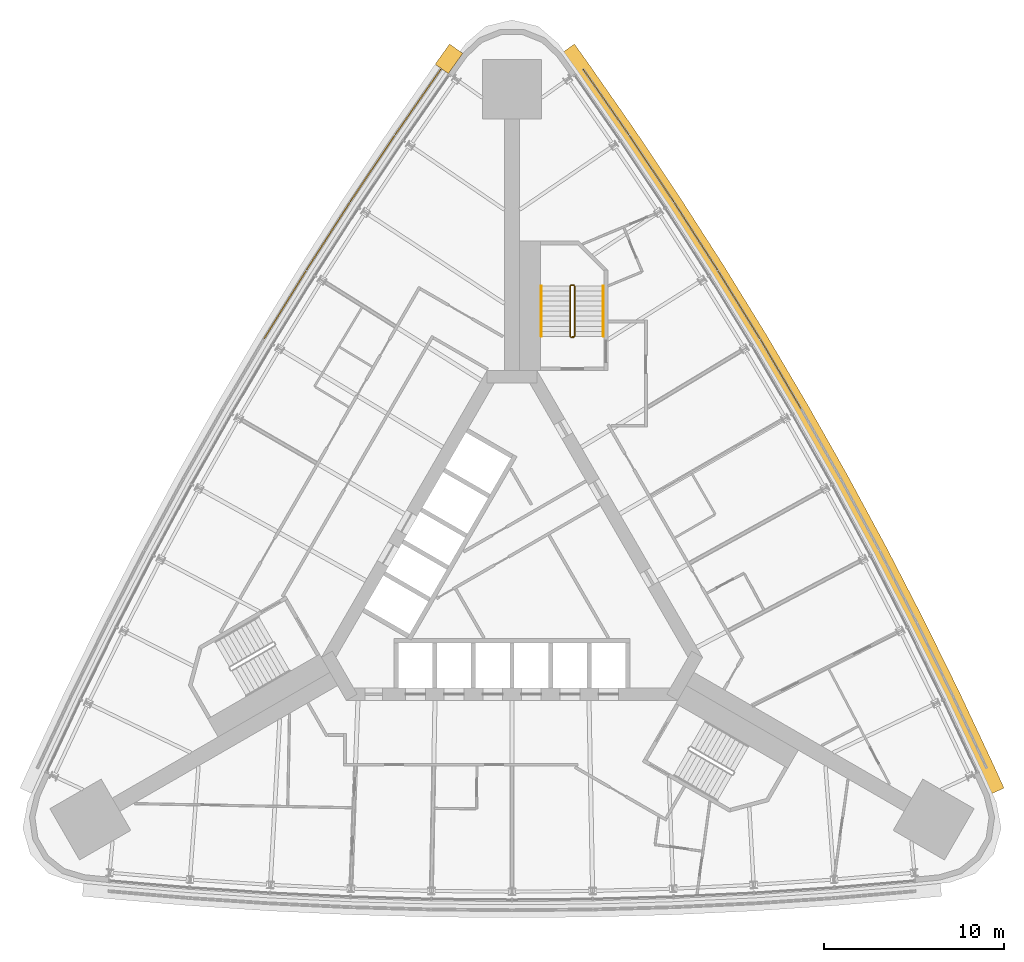
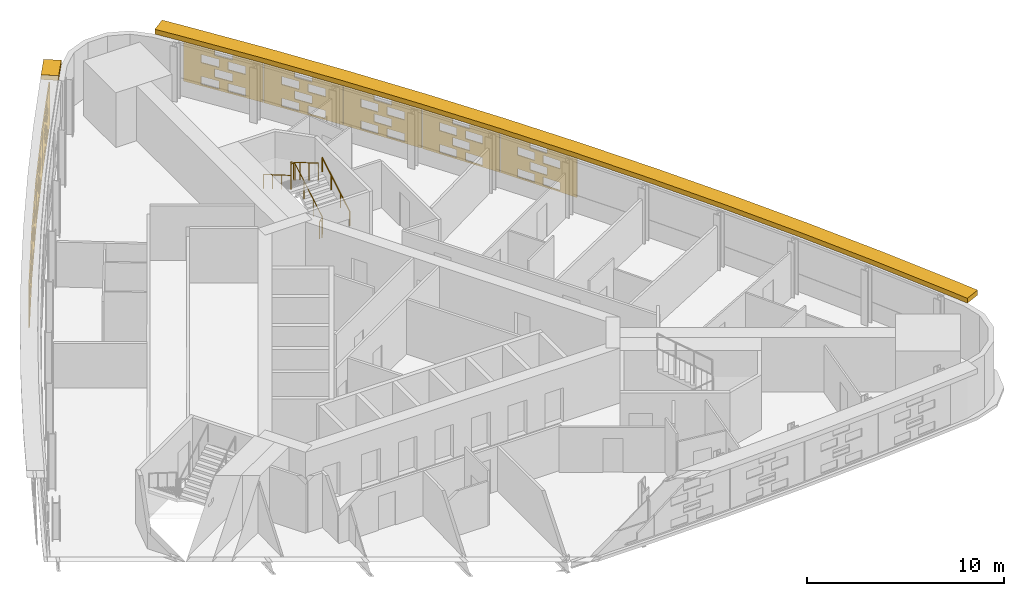
# One storey, part 15 of 15: 11 shading devices, 3 railings.
"""IFC4 building model written with IfcOpenShell, lengths in metres."""

from ifc_helpers import new_model, si_unit, direction, frame, origin, origin_2d, place, context, subcontext, project, spatial, polyline, circle, outline, extrude, material, material_profile, profile_set, type_object, element, save


model = new_model("IFC4")

# Units and contexts
model_context = context("Model", 3, precision=1e-05, world=origin(), true_north=direction((0.0, 1.0)))
body_context = subcontext(model_context, "Body", "Model", "MODEL_VIEW")
ifc_project = project(units=[si_unit("LENGTHUNIT", "METRE"), si_unit("AREAUNIT", "SQUARE_METRE"), si_unit("VOLUMEUNIT", "CUBIC_METRE"), si_unit("PLANEANGLEUNIT", "RADIAN"), si_unit("MASSUNIT", "GRAM", prefix="KILO")], contexts=[model_context])

# Site, building, storey
site_placement = place(None, origin())
site = spatial("IfcSite", under=ifc_project, at=site_placement, CompositionType="ELEMENT")
building_placement = place(site_placement, origin())
building = spatial("IfcBuilding", under=site, at=building_placement, Name="Noor Cloister Tower", CompositionType="ELEMENT")
storey_placement = place(building_placement, frame((0.0, 0.0, 45.60009765625)))
storey = spatial("IfcBuildingStorey", under=building, at=storey_placement, Name="L11", CompositionType="ELEMENT", Elevation=45.60009765625)

# Shading devices
ifc_material_1 = material(Name="Limestone", Category="masonry")
ifc_material_profile = material_profile(ifc_material_1, outline(polyline([(-2.22998046875, -1.35009765625), (2.22998046875, -1.35009765625), (2.22998046875, 1.35009765625), (-2.22998046875, 1.35009765625), (-2.22998046875, -1.35009765625)]), holes=[polyline([(-1.25, -1.263427734375), (-0.25, -1.263427734375), (-0.25, -0.76171875), (-1.25, -0.76171875), (-1.25, -1.263427734375)]), polyline([(0.25, -1.263427734375), (1.25, -1.263427734375), (1.25, -0.76171875), (0.25, -0.76171875), (0.25, -1.263427734375)]), polyline([(-0.5, -0.58837890625), (0.5, -0.58837890625), (0.5, -0.086669921875), (-0.5, -0.086669921875), (-0.5, -0.58837890625)]), polyline([(-1.25, 0.086669921875), (-0.25, 0.086669921875), (-0.25, 0.58837890625), (-1.25, 0.58837890625), (-1.25, 0.086669921875)]), polyline([(0.25, 0.086669921875), (1.25, 0.086669921875), (1.25, 0.58837890625), (0.25, 0.58837890625), (0.25, 0.086669921875)]), polyline([(-0.5, 0.76171875), (0.5, 0.76171875), (0.5, 1.263427734375), (-0.5, 1.263427734375), (-0.5, 0.76171875)])]), Name="Woven screen 25 percent open")
ifc_profile_set = profile_set([ifc_material_profile], Name="Limestone")
shading_device_type_1 = type_object("IfcShadingDeviceType", Name="SCREEN woven limestone 25 percent open", PredefinedType="USERDEFINED", material=ifc_profile_set)
shading_device_1_placement = place(storey_placement, frame((-5.203857421875, 26.402099609375, 1.849853515625), z_axis=(-0.820572225759, 0.571542843812, 0.0), x_axis=(-0.571542843812, -0.820572225759, 0.0)))
element("IfcShadingDevice", 1, at=shading_device_1_placement, inside=storey, type_object=shading_device_type_1, Name="SCREEN L11 1", ObjectType="SCREEN", PredefinedType="USERDEFINED", context=body_context, shape_type="SweptSolid", body=[
    extrude(outline(polyline([(-2.22998046875, -1.35009765625), (2.22998046875, -1.35009765625), (2.22998046875, 1.35009765625), (-2.22998046875, 1.35009765625), (-2.22998046875, -1.35009765625)]), holes=[polyline([(-1.25, -1.263427734375), (-0.25, -1.263427734375), (-0.25, -0.76171875), (-1.25, -0.76171875), (-1.25, -1.263427734375)]), polyline([(0.25, -1.263427734375), (1.25, -1.263427734375), (1.25, -0.76171875), (0.25, -0.76171875), (0.25, -1.263427734375)]), polyline([(-0.5, -0.58837890625), (0.5, -0.58837890625), (0.5, -0.086669921875), (-0.5, -0.086669921875), (-0.5, -0.58837890625)]), polyline([(-1.25, 0.086669921875), (-0.25, 0.086669921875), (-0.25, 0.58837890625), (-1.25, 0.58837890625), (-1.25, 0.086669921875)]), polyline([(0.25, 0.086669921875), (1.25, 0.086669921875), (1.25, 0.58837890625), (0.25, 0.58837890625), (0.25, 0.086669921875)]), polyline([(-0.5, 0.76171875), (0.5, 0.76171875), (0.5, 1.263427734375), (-0.5, 1.263427734375), (-0.5, 0.76171875)])]), origin(), (0.0, 0.0, 1.0), 0.059814453125),
])
for number, where, z_axis, x_axis, name in (
    (2, (-7.74658203125, 22.67919921875, 1.849853515625), (-0.830167318038, 0.557514326329, 0.0), (-0.557514326329, -0.830167318038, 0.0), "SCREEN L11 2"),
    (3, (-10.218505859375, 18.9091796875, 1.849853515625), (-0.841310503427, 0.540552159207, 0.0), (-0.540552159207, -0.841310503427, 0.0), "SCREEN L11 3"),
    (4, (-12.61865234375, 15.093017578125, 1.849853515625), (-0.850958576931, 0.525232805857, 0.0), (-0.525232805857, -0.850958576931, 0.0), "SCREEN L11 4"),
    (5, (14.9462890625, 11.232177734375, 1.849853515625), (0.863187603129, 0.504883315038, 0.0), (-0.504883315038, 0.863187603129, 0.0), "SCREEN L11 6"),
    (6, (12.61865234375, 15.093017578125, 1.849853515625), (0.850958576931, 0.525232805857, 0.0), (-0.525232805857, 0.850958576931, 0.0), "SCREEN L11 7"),
    (7, (10.218505859375, 18.9091796875, 1.849853515625), (0.841310503427, 0.540552159207, 0.0), (-0.540552159207, 0.841310503427, 0.0), "SCREEN L11 8"),
    (8, (7.74658203125, 22.67919921875, 1.849853515625), (0.830167318038, 0.557514326329, 0.0), (-0.557514326329, 0.830167318038, 0.0), "SCREEN L11 9"),
):
    element("IfcShadingDevice", number, at=place(storey_placement, frame(where, z_axis=z_axis, x_axis=x_axis)), inside=storey, type_object=shading_device_type_1, Name=name, ObjectType="SCREEN", PredefinedType="USERDEFINED", context=body_context, shape_type="SweptSolid", body=[
        extrude(outline(polyline([(-2.22998046875, -1.35009765625), (2.22998046875, -1.35009765625), (2.22998046875, 1.35009765625), (-2.22998046875, 1.35009765625), (-2.22998046875, -1.35009765625)]), holes=[polyline([(-1.25, -1.263427734375), (-0.25, -1.263427734375), (-0.25, -0.76171875), (-1.25, -0.76171875), (-1.25, -1.263427734375)]), polyline([(0.25, -1.263427734375), (1.25, -1.263427734375), (1.25, -0.76171875), (0.25, -0.76171875), (0.25, -1.263427734375)]), polyline([(-0.5, -0.58837890625), (0.5, -0.58837890625), (0.5, -0.086669921875), (-0.5, -0.086669921875), (-0.5, -0.58837890625)]), polyline([(-1.25, 0.086669921875), (-0.25, 0.086669921875), (-0.25, 0.58837890625), (-1.25, 0.58837890625), (-1.25, 0.086669921875)]), polyline([(0.25, 0.086669921875), (1.25, 0.086669921875), (1.25, 0.58837890625), (0.25, 0.58837890625), (0.25, 0.086669921875)]), polyline([(-0.5, 0.76171875), (0.5, 0.76171875), (0.5, 1.263427734375), (-0.5, 1.263427734375), (-0.5, 0.76171875)])]), origin(), (0.0, 0.0, 1.0), 0.06005859375),
    ])
shading_device_2_placement = place(storey_placement, frame((5.203857421875, 26.402099609375, 1.849853515625), z_axis=(0.820572225759, 0.571542843812, 0.0), x_axis=(-0.571542843812, 0.820572225759, 0.0)))
element("IfcShadingDevice", 9, at=shading_device_2_placement, inside=storey, type_object=shading_device_type_1, Name="SCREEN L11 10", ObjectType="SCREEN", PredefinedType="USERDEFINED", context=body_context, shape_type="SweptSolid", body=[
    extrude(outline(polyline([(-2.22998046875, -1.35009765625), (2.22998046875, -1.35009765625), (2.22998046875, 1.35009765625), (-2.22998046875, 1.35009765625), (-2.22998046875, -1.35009765625)]), holes=[polyline([(-1.25, -1.263427734375), (-0.25, -1.263427734375), (-0.25, -0.76171875), (-1.25, -0.76171875), (-1.25, -1.263427734375)]), polyline([(0.25, -1.263427734375), (1.25, -1.263427734375), (1.25, -0.76171875), (0.25, -0.76171875), (0.25, -1.263427734375)]), polyline([(-0.5, -0.58837890625), (0.5, -0.58837890625), (0.5, -0.086669921875), (-0.5, -0.086669921875), (-0.5, -0.58837890625)]), polyline([(-1.25, 0.086669921875), (-0.25, 0.086669921875), (-0.25, 0.58837890625), (-1.25, 0.58837890625), (-1.25, 0.086669921875)]), polyline([(0.25, 0.086669921875), (1.25, 0.086669921875), (1.25, 0.58837890625), (0.25, 0.58837890625), (0.25, 0.086669921875)]), polyline([(-0.5, 0.76171875), (0.5, 0.76171875), (0.5, 1.263427734375), (-0.5, 1.263427734375), (-0.5, 0.76171875)])]), origin(), (0.0, 0.0, 1.0), 0.059814453125),
])
ifc_material_2 = material(Name="Limestone", Category="masonry")
shading_device_type_2 = type_object("IfcShadingDeviceType", Name="SUNSHADE limestone band 900", PredefinedType="USERDEFINED", material=ifc_material_2)
shading_device_3_placement = place(storey_placement, frame((0.0, 0.0, 3.2998046875)))
element("IfcShadingDevice", 10, at=shading_device_3_placement, inside=storey, type_object=shading_device_type_2, Name="SUNSHADE L11 3", ObjectType="SUNSHADE", PredefinedType="USERDEFINED", context=body_context, shape_type="SweptSolid", body=[
    extrude(outline(polyline([(27.4052734375, -11.808837890625), (26.831787109375, -10.54541015625), (24.915283203125, -6.45849609375), (22.92041015625, -2.40576171875), (20.849365234375, 1.6083984375), (18.702880859375, 5.58251953125), (16.4814453125, 9.515625), (14.18603515625, 13.40576171875), (11.817626953125, 17.251953125), (9.376708984375, 21.052734375), (6.864501953125, 24.806396484375), (4.283203125, 28.509765625), (3.475830078125, 29.63818359375), (2.743896484375, 29.1142578125), (3.548095703125, 27.990478515625), (6.12109375, 24.298828125), (8.6240234375, 20.55908203125), (11.0556640625, 16.77294921875), (13.415283203125, 12.941162109375), (15.7021484375, 9.065673828125), (17.9150390625, 5.1474609375), (20.053466796875, 1.18798828125), (22.11669921875, -2.81103515625), (24.10400390625, -6.848388671875), (26.014404296875, -10.922607421875), (26.585693359375, -12.180908203125), (27.4052734375, -11.808837890625)])), origin(), (0.0, 0.0, 1.0), 0.300048828125),
])
shading_device_4_placement = place(storey_placement, frame((0.0, 0.0, 3.2998046875)))
element("IfcShadingDevice", 11, at=shading_device_4_placement, inside=storey, type_object=shading_device_type_2, Name="SUNSHADE L11 4", ObjectType="SUNSHADE", PredefinedType="USERDEFINED", context=body_context, shape_type="SweptSolid", body=[
    extrude(outline(polyline([(-3.475830078125, 29.63818359375), (-4.280029296875, 28.51416015625), (-3.548095703125, 27.990478515625), (-2.743896484375, 29.1142578125), (-3.475830078125, 29.63818359375)])), origin(), (0.0, 0.0, 1.0), 0.300048828125),
])

# Railings
ifc_material_3 = material(Name="Stainless steel", Category="steel")
railing_type_1 = type_object("IfcRailingType", Name="Stair guard 1100", PredefinedType="GUARDRAIL", material=ifc_material_3)
railing_1_placement = place(storey_placement, frame((3.435546875, 13.306396484375, 0.0)))
element("IfcRailing", 12, at=railing_1_placement, inside=storey, type_object=railing_type_1, Name="Stair guard ST1 L11", PredefinedType="GUARDRAIL", context=body_context, shape_type="SweptSolid", body=[
    extrude(circle(Radius=0.02392578125, at=origin_2d()), frame((0.0, 0.0, 1.076171875), z_axis=(-1.0, 0.0, 0.0), x_axis=(0.0, -1.0, 0.0)), (0.0, 0.0, 1.0), 0.14990234375),
    extrude(circle(Radius=0.02392578125, at=origin_2d()), frame((-0.14990234375, 0.0, 1.076171875), z_axis=(0.759870394187, 0.190199549216, 0.621627795), x_axis=(-0.242814311512, 0.970072785993, 0.0)), (0.0, 0.0, 1.0), 0.26318359375),
    extrude(circle(Radius=0.02392578125, at=origin_2d()), frame((0.050048828125, 0.050048828125, 1.23974609375), z_axis=(0.0, 0.863393664356, 0.504530851732), x_axis=(-1.0, 0.0, 0.0)), (0.0, 0.0, 1.0), 3.2431640625),
    extrude(circle(Radius=0.02392578125, at=origin_2d()), frame((0.050048828125, 2.85009765625, 2.8759765625), z_axis=(-0.708833529934, 0.705375805398, 0.0), x_axis=(-0.705375805398, -0.708833529934, 0.0)), (0.0, 0.0, 1.0), 0.070556640625),
    extrude(circle(Radius=0.02392578125, at=origin_2d()), frame((0.0, 2.89990234375, 2.8759765625), z_axis=(-1.0, 0.0, 0.0), x_axis=(0.0, -1.0, 0.0)), (0.0, 0.0, 1.0), 0.14990234375),
    extrude(circle(Radius=0.02392578125, at=origin_2d()), frame((-0.14990234375, 2.89990234375, 2.8759765625), z_axis=(-0.280563532951, -0.279194930351, 0.91833234444), x_axis=(0.705375805398, -0.708833529934, 0.0)), (0.0, 0.0, 1.0), 0.178466796875),
    extrude(circle(Radius=0.02392578125, at=origin_2d()), frame((-0.199951171875, 2.85009765625, 3.03955078125), z_axis=(0.0, -0.863393664356, 0.504530851732), x_axis=(1.0, 0.0, 0.0)), (0.0, 0.0, 1.0), 3.2431640625),
    extrude(circle(Radius=0.02099609375, at=origin_2d()), origin(), (0.0, 0.0, 1.0), 1.052001953125),
    extrude(circle(Radius=0.02099609375, at=origin_2d()), frame((-0.14990234375, 0.0, 0.0)), (0.0, 0.0, 1.0), 1.052001953125),
    extrude(circle(Radius=0.02099609375, at=origin_2d()), frame((0.050048828125, 0.050048828125, 0.16357421875)), (0.0, 0.0, 1.0), 1.052001953125),
    extrude(circle(Radius=0.02099609375, at=origin_2d()), frame((0.050048828125, 0.9833984375, 0.708984375)), (0.0, 0.0, 1.0), 1.052001953125),
    extrude(circle(Radius=0.02099609375, at=origin_2d()), frame((0.050048828125, 1.916748046875, 1.25439453125)), (0.0, 0.0, 1.0), 1.052001953125),
    extrude(circle(Radius=0.02099609375, at=origin_2d()), frame((0.050048828125, 2.85009765625, 1.7998046875)), (0.0, 0.0, 1.0), 1.052001953125),
    extrude(circle(Radius=0.02099609375, at=origin_2d()), frame((0.0, 2.89990234375, 1.7998046875)), (0.0, 0.0, 1.0), 1.052001953125),
    extrude(circle(Radius=0.02099609375, at=origin_2d()), frame((-0.14990234375, 2.89990234375, 1.7998046875)), (0.0, 0.0, 1.0), 1.052001953125),
    extrude(circle(Radius=0.02099609375, at=origin_2d()), frame((-0.199951171875, 2.85009765625, 1.963623046875)), (0.0, 0.0, 1.0), 1.052001953125),
    extrude(circle(Radius=0.02099609375, at=origin_2d()), frame((-0.199951171875, 1.916748046875, 2.509033203125)), (0.0, 0.0, 1.0), 1.052001953125),
    extrude(circle(Radius=0.02099609375, at=origin_2d()), frame((-0.199951171875, 0.9833984375, 3.054443359375)), (0.0, 0.0, 1.0), 1.052001953125),
    extrude(circle(Radius=0.02099609375, at=origin_2d()), frame((-0.199951171875, 0.050048828125, 3.599853515625)), (0.0, 0.0, 1.0), 1.052001953125),
])
ifc_material_4 = material(Name="Stainless steel", Category="steel")
railing_type_2 = type_object("IfcRailingType", Name="Stair handrail 900", PredefinedType="HANDRAIL", material=ifc_material_4)
railing_2_placement = place(storey_placement, frame((5.085693359375, 13.3564453125, 0.16357421875)))
element("IfcRailing", 13, at=railing_2_placement, inside=storey, type_object=railing_type_2, Name="Stair handrail ST1 L11 1", PredefinedType="HANDRAIL", context=body_context, shape_type="SweptSolid", body=[
    extrude(circle(Radius=0.02392578125, at=origin_2d()), frame((0.0, 0.0, 0.8759765625), z_axis=(0.0, 0.863393664356, 0.504530851732), x_axis=(-1.0, 0.0, 0.0)), (0.0, 0.0, 1.0), 3.2431640625),
    extrude(circle(Radius=0.02099609375, at=origin_2d()), origin(), (0.0, 0.0, 1.0), 0.851806640625),
    extrude(circle(Radius=0.02099609375, at=origin_2d()), frame((0.0, 0.933349609375, 0.54541015625)), (0.0, 0.0, 1.0), 0.851806640625),
    extrude(circle(Radius=0.02099609375, at=origin_2d()), frame((0.0, 1.86669921875, 1.0908203125)), (0.0, 0.0, 1.0), 0.851806640625),
    extrude(circle(Radius=0.02099609375, at=origin_2d()), frame((0.0, 2.800048828125, 1.63623046875)), (0.0, 0.0, 1.0), 0.851806640625),
])
railing_3_placement = place(storey_placement, frame((1.6357421875, 16.156494140625, 1.963623046875)))
element("IfcRailing", 14, at=railing_3_placement, inside=storey, type_object=railing_type_2, Name="Stair handrail ST1 L11 2", PredefinedType="HANDRAIL", context=body_context, shape_type="SweptSolid", body=[
    extrude(circle(Radius=0.02392578125, at=origin_2d()), frame((0.0, 0.0, 0.8759765625), z_axis=(0.0, -0.863393664356, 0.504530851732), x_axis=(1.0, 0.0, 0.0)), (0.0, 0.0, 1.0), 3.2431640625),
    extrude(circle(Radius=0.02099609375, at=origin_2d()), origin(), (0.0, 0.0, 1.0), 0.851806640625),
    extrude(circle(Radius=0.02099609375, at=origin_2d()), frame((0.0, -0.933349609375, 0.54541015625)), (0.0, 0.0, 1.0), 0.851806640625),
    extrude(circle(Radius=0.02099609375, at=origin_2d()), frame((0.0, -1.86669921875, 1.0908203125)), (0.0, 0.0, 1.0), 0.851806640625),
    extrude(circle(Radius=0.02099609375, at=origin_2d()), frame((0.0, -2.800048828125, 1.63623046875)), (0.0, 0.0, 1.0), 0.851806640625),
])

save(model, "model.ifc")
